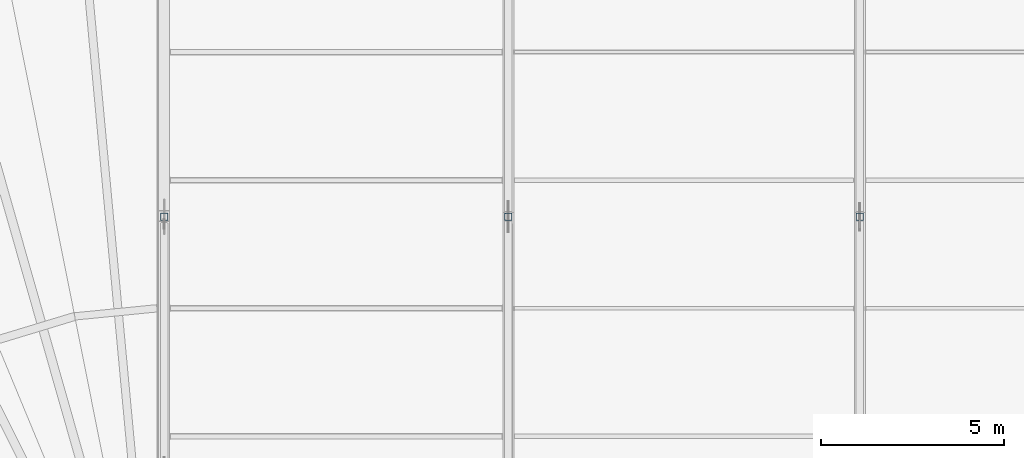
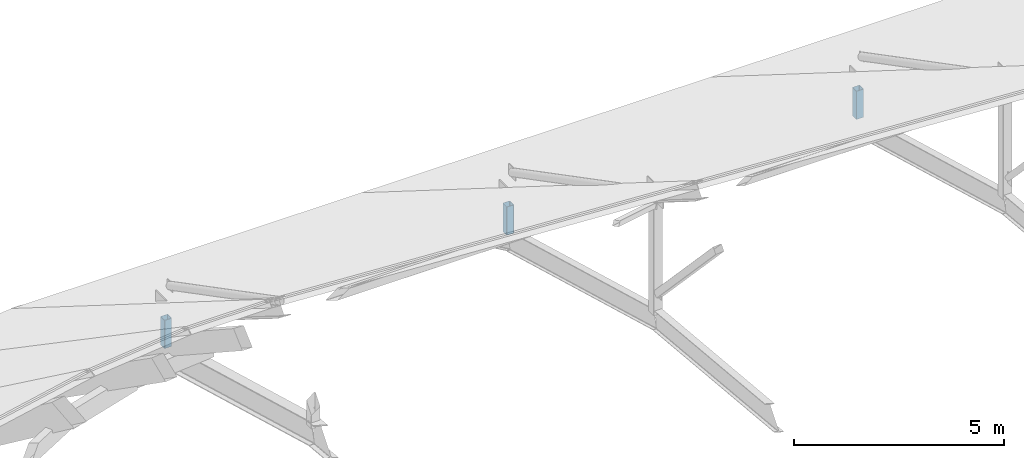
# One storey, part 23 of 66: 3 members.
"""IFC4 building model written with IfcOpenShell, lengths in metres."""

from ifc_helpers import new_model, si_unit, direction, frame, origin, origin_2d, place, context, subcontext, project, spatial, hollow_rectangle, extrude, material, material_profile, profile_set, type_object, element, save


model = new_model("IFC4")

# Units and contexts
model_context = context("Model", 3, precision=1e-05, world=origin(), true_north=direction((0.0, 1.0)))
body_context = subcontext(model_context, "Body", "Model", "MODEL_VIEW")
ifc_project = project(units=[si_unit("LENGTHUNIT", "METRE"), si_unit("AREAUNIT", "SQUARE_METRE"), si_unit("VOLUMEUNIT", "CUBIC_METRE"), si_unit("PLANEANGLEUNIT", "RADIAN"), si_unit("MASSUNIT", "GRAM", prefix="KILO")], contexts=[model_context])

# Site, building, storey
site_placement = place(None, origin())
site = spatial("IfcSite", under=ifc_project, at=site_placement, CompositionType="ELEMENT")
building_placement = place(site_placement, origin())
building = spatial("IfcBuilding", under=site, at=building_placement, Name="Yeouljin Market Hall", CompositionType="ELEMENT")
storey_placement = place(building_placement, frame((0.0, 0.0, 23.39990234375)))
storey = spatial("IfcBuildingStorey", under=building, at=storey_placement, Name="RF", CompositionType="ELEMENT", Elevation=23.39990234375)

# Members
ifc_material = material(Name="Steel SM355", Category="steel")
ifc_material_profile = material_profile(ifc_material, hollow_rectangle(XDim=0.199951171875, YDim=0.199951171875, WallThickness=0.008056640625, InnerFilletRadius=0.008056640625, OuterFilletRadius=0.01611328125, at=origin_2d()), Name="SHS-200x200x8")
ifc_profile_set = profile_set([ifc_material_profile], Name="Steel SM355")
member_type = type_object("IfcMemberType", Name="Strut_SHS-200x200x8", PredefinedType="STRUT", material=ifc_profile_set)
for number, where, z_axis, x_axis, name in (
    (1, (35.60009765625, 71.0, -8.897705078125), (0.0, 0.0, 1.0), (1.0, 0.0, 0.0), "Truss AT-01 vertical strut 5"),
    (2, (45.0, 71.0, -8.897705078125), (0.0, 0.0, 1.0), (1.0, 0.0, 0.0), "Truss AT-02 vertical strut 5"),
    (3, (54.60009765625, 71.0, -8.897705078125), (0.0, 0.0, 1.0), (1.0, 0.0, 0.0), "Truss AT-03 vertical strut 5"),
):
    element("IfcMember", number, at=place(storey_placement, frame(where, z_axis=z_axis, x_axis=x_axis)), inside=storey, type_object=member_type, Name=name, PredefinedType="STRUT", context=body_context, shape_type="SweptSolid", body=[
        extrude(hollow_rectangle(XDim=0.199951171875, YDim=0.199951171875, WallThickness=0.008056640625, InnerFilletRadius=0.008056640625, OuterFilletRadius=0.01611328125, at=origin_2d()), origin(), (0.0, 0.0, 1.0), 0.81787109375),
    ])

save(model, "model.ifc")
